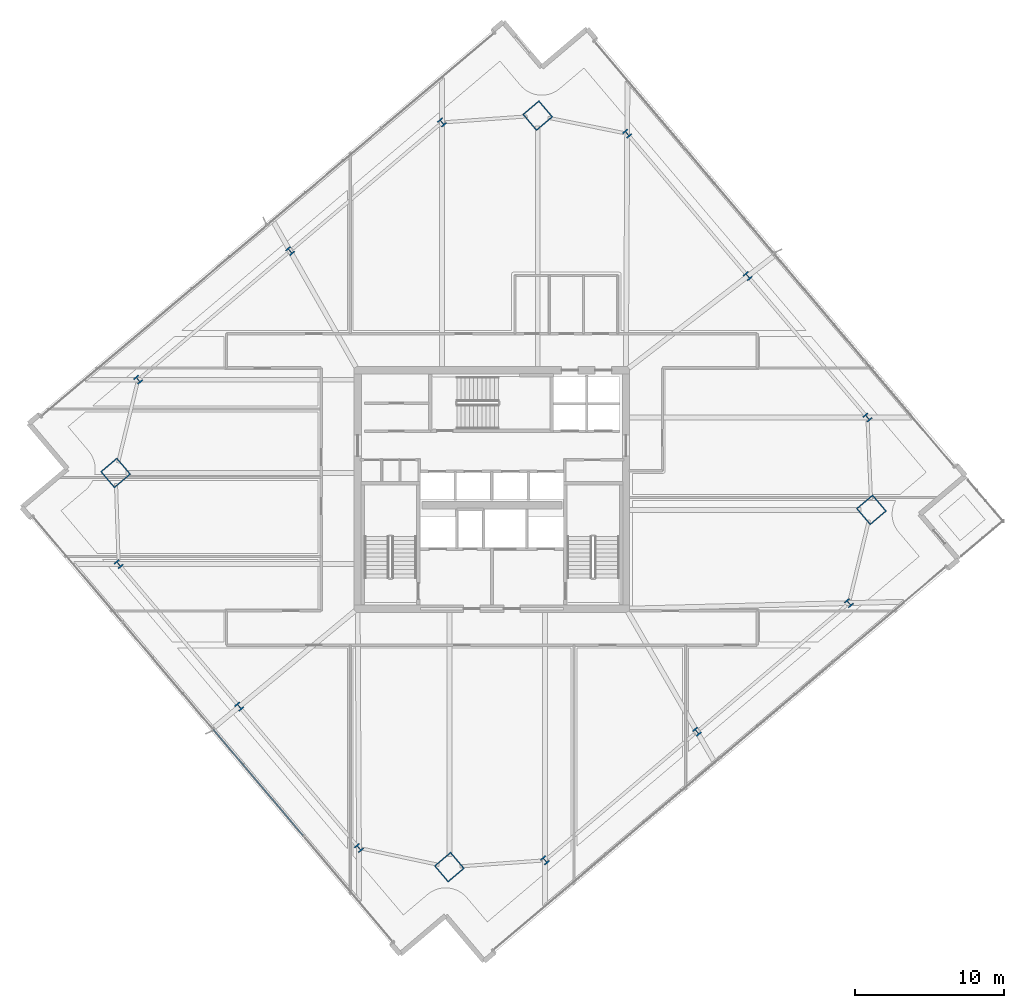
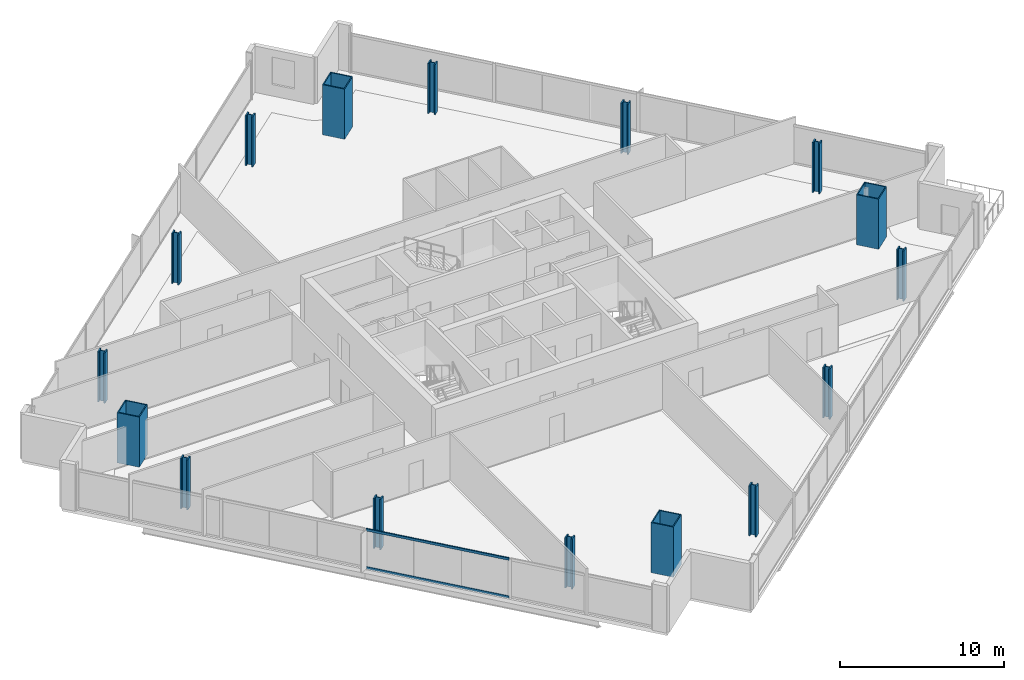
# One storey, part 1 of 34: 16 columns, 2 members, 1 element without a shape of its own.
"""IFC4 building model written with IfcOpenShell, lengths in metres."""

from ifc_helpers import new_model, si_unit, direction, frame, origin, origin_2d, place, context, subcontext, project, spatial, hollow_rectangle, i_section, extrude, material, material_profile, profile_set, type_object, element, aggregate, save


model = new_model("IFC4")

# Units and contexts
model_context = context("Model", 3, precision=1e-05, world=origin(), true_north=direction((0.0, 1.0)))
body_context = subcontext(model_context, "Body", "Model", "MODEL_VIEW")
ifc_project = project(units=[si_unit("LENGTHUNIT", "METRE"), si_unit("AREAUNIT", "SQUARE_METRE"), si_unit("VOLUMEUNIT", "CUBIC_METRE"), si_unit("PLANEANGLEUNIT", "RADIAN"), si_unit("MASSUNIT", "GRAM", prefix="KILO")], contexts=[model_context])

# Site, building, storey
site_placement = place(None, origin())
site = spatial("IfcSite", under=ifc_project, at=site_placement, CompositionType="ELEMENT")
building_placement = place(site_placement, origin())
building = spatial("IfcBuilding", under=site, at=building_placement, Name="Haldenkirk Collegiate Tower", CompositionType="ELEMENT")
storey_placement = place(building_placement, frame((0.0, 0.0, 163.199951171875)))
storey = spatial("IfcBuildingStorey", under=building, at=storey_placement, Name="L40", CompositionType="ELEMENT", Elevation=163.199951171875)

# Columns
ifc_material_1 = material(Name="Steel ASTM A913 Grade 65", Category="steel")
ifc_material_profile_1 = material_profile(ifc_material_1, i_section(OverallWidth=0.431884765625, OverallDepth=0.498046875, WebThickness=0.0556640625, FlangeThickness=0.0888671875, at=origin_2d()), Name="W14X500")
ifc_profile_set_1 = profile_set([ifc_material_profile_1], Name="Steel ASTM A913 Grade 65")
column_type_1 = type_object("IfcColumnType", Name="COL-INT-W14X500", PredefinedType="COLUMN", material=ifc_profile_set_1)
for number, where, z_axis, x_axis, name in (
    (1, (39.568603515625, 1.113525390625, 0.0), (0.0, 0.0, 1.0), (0.763232469783, 0.646123979643, 0.0), "L40 perimeter gravity column PC-S1"),
    (2, (49.762451171875, 9.7431640625, 0.0), (0.0, 0.0, 1.0), (0.763232469783, 0.646123979643, 0.0), "L40 perimeter gravity column PC-S2"),
    (3, (59.956298828125, 18.372802734375, 0.0), (0.0, 0.0, 1.0), (0.763232469783, 0.646123979643, 0.0), "L40 perimeter gravity column PC-S3"),
    (4, (61.199462890625, 30.82421875, 0.0), (0.0, 0.0, 1.0), (0.763232469783, 0.646123979643, 0.0), "L40 perimeter gravity column PC-E1"),
    (5, (53.17138671875, 40.307373046875, 0.0), (0.0, 0.0, 1.0), (0.763232469783, 0.646123979643, 0.0), "L40 perimeter gravity column PC-E2"),
    (6, (45.079833984375, 49.865234375, 0.0), (0.0, 0.0, 1.0), (0.763232469783, 0.646123979643, 0.0), "L40 perimeter gravity column PC-E3"),
    (7, (32.657470703125, 50.619384765625, 0.0), (0.0, 0.0, 1.0), (0.763232469783, 0.646123979643, 0.0), "L40 perimeter gravity column PC-N1"),
    (8, (22.463623046875, 41.98974609375, 0.0), (0.0, 0.0, 1.0), (0.763232469783, 0.646123979643, 0.0), "L40 perimeter gravity column PC-N2"),
    (9, (12.27001953125, 33.360107421875, 0.0), (0.0, 0.0, 1.0), (0.763232469783, 0.646123979643, 0.0), "L40 perimeter gravity column PC-N3"),
    (10, (10.96337890625, 20.9833984375, 0.0), (0.0, 0.0, 1.0), (0.763232469783, 0.646123979643, 0.0), "L40 perimeter gravity column PC-W1"),
    (11, (19.0546875, 11.425537109375, 0.0), (0.0, 0.0, 1.0), (0.763232469783, 0.646123979643, 0.0), "L40 perimeter gravity column PC-W2"),
    (12, (27.0830078125, 1.9423828125, 0.0), (0.0, 0.0, 1.0), (0.763232469783, 0.646123979643, 0.0), "L40 perimeter gravity column PC-W3"),
):
    element("IfcColumn", number, at=place(storey_placement, frame(where, z_axis=z_axis, x_axis=x_axis)), inside=storey, type_object=column_type_1, Name=name, PredefinedType="COLUMN", context=body_context, shape_type="SweptSolid", body=[
        extrude(i_section(OverallWidth=0.431884765625, OverallDepth=0.498046875, WebThickness=0.0556640625, FlangeThickness=0.0888671875, at=origin_2d()), origin(), (0.0, 0.0, 1.0), 3.75),
    ])
ifc_material_2 = material(Name="Steel ASTM A572 Grade 50", Category="steel")
ifc_material_profile_2 = material_profile(ifc_material_2, hollow_rectangle(XDim=1.449951171875, YDim=1.449951171875, WallThickness=0.070068359375, at=origin_2d()), Name="BOX1450X1450X70")
ifc_profile_set_2 = profile_set([ifc_material_profile_2], Name="Steel ASTM A572 Grade 50")
column_type_2 = type_object("IfcColumnType", Name="COL-MEGA-BOX1450X1450X70", PredefinedType="COLUMN", material=ifc_profile_set_2)
for number, where, z_axis, x_axis, name in (
    (13, (33.149169921875, 0.65771484375, 0.0), (0.0, 0.0, 1.0), (0.763232469783, 0.646123979643, 0.0), "L40 corner mega-column MC1"),
    (14, (61.465087890625, 24.62890625, 0.0), (0.0, 0.0, 1.0), (0.763232469783, 0.646123979643, 0.0), "L40 corner mega-column MC2"),
    (15, (39.076904296875, 51.074951171875, 0.0), (0.0, 0.0, 1.0), (0.763232469783, 0.646123979643, 0.0), "L40 corner mega-column MC3"),
    (16, (10.760986328125, 27.103759765625, 0.0), (0.0, 0.0, 1.0), (0.763232469783, 0.646123979643, 0.0), "L40 corner mega-column MC4"),
):
    element("IfcColumn", number, at=place(storey_placement, frame(where, z_axis=z_axis, x_axis=x_axis)), inside=storey, type_object=column_type_2, Name=name, PredefinedType="COLUMN", context=body_context, shape_type="SweptSolid", body=[
        extrude(hollow_rectangle(XDim=1.449951171875, YDim=1.449951171875, WallThickness=0.070068359375, at=origin_2d()), origin(), (0.0, 0.0, 1.0), 3.75),
    ])

# Curtain wall, members
ifc_material_3 = material(Name="Anodised architectural bronze aluminium", Category="aluminium")
curtain_wall_type = type_object("IfcCurtainWallType", Name="CW-SYS1-CONVEX-LOW", PredefinedType="USERDEFINED", material=ifc_material_3)
curtain_wall_placement = place(storey_placement, origin())
curtain_wall = element("IfcCurtainWall", 17, at=curtain_wall_placement, inside=storey, type_object=curtain_wall_type, Name="L40 Lower tower convex bronze-framed unitised curtain wall", ObjectType="UNITISED CURTAIN WALL", PredefinedType="USERDEFINED")
ifc_material_profile_3 = material_profile(ifc_material_3, hollow_rectangle(XDim=0.080078125, YDim=0.179931640625, WallThickness=0.0048828125, at=origin_2d()), Name="CW-TRN-1A")
ifc_profile_set_3 = profile_set([ifc_material_profile_3], Name="Anodised architectural bronze aluminium")
member_type = type_object("IfcMemberType", Name="CW-TRN-1A", PredefinedType="USERDEFINED", material=ifc_profile_set_3)
member_1_placement = place(storey_placement, frame((23.31982421875, 2.796875, 0.0400390625), z_axis=(-0.646118955758, 0.763236722787, 0.0), x_axis=(-0.763236722787, -0.646118955758, 0.0)))
member_1 = element("IfcMember", 18, at=member_1_placement, type_object=member_type, Name="CW-1A transom 2.1", ObjectType="TRANSOM", PredefinedType="USERDEFINED", context=body_context, shape_type="SweptSolid", body=[
    extrude(hollow_rectangle(XDim=0.080078125, YDim=0.179931640625, WallThickness=0.0048828125, at=origin_2d()), origin(), (0.0, 0.0, 1.0), 9.288818359375),
])
member_2_placement = place(storey_placement, frame((23.31982421875, 2.796875, 2.87109375), z_axis=(-0.646118955758, 0.763236722787, 0.0), x_axis=(-0.763236722787, -0.646118955758, 0.0)))
member_2 = element("IfcMember", 19, at=member_2_placement, type_object=member_type, Name="CW-1A transom 2.2", ObjectType="TRANSOM", PredefinedType="USERDEFINED", context=body_context, shape_type="SweptSolid", body=[
    extrude(hollow_rectangle(XDim=0.080078125, YDim=0.179931640625, WallThickness=0.0048828125, at=origin_2d()), origin(), (0.0, 0.0, 1.0), 9.288818359375),
])
aggregate(curtain_wall, [member_1, member_2])

save(model, "model.ifc")
